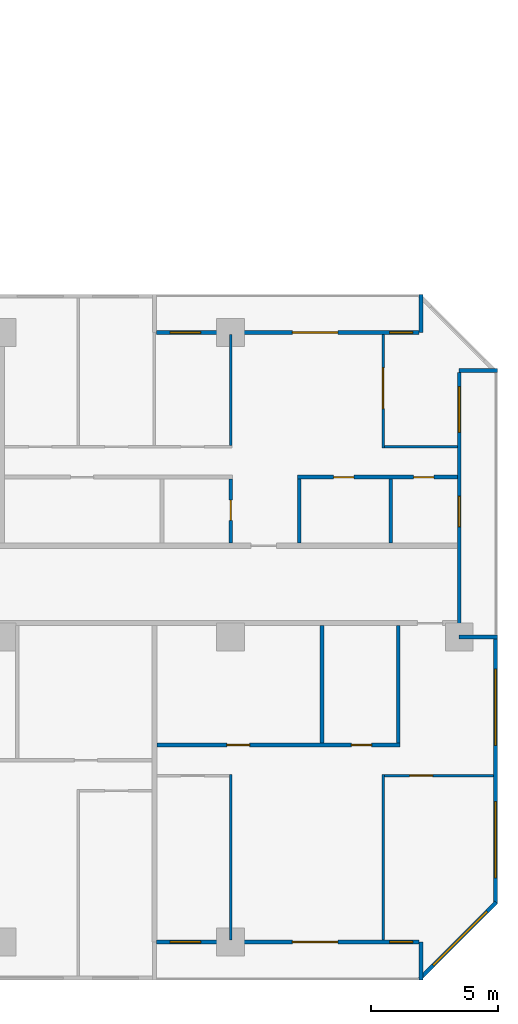
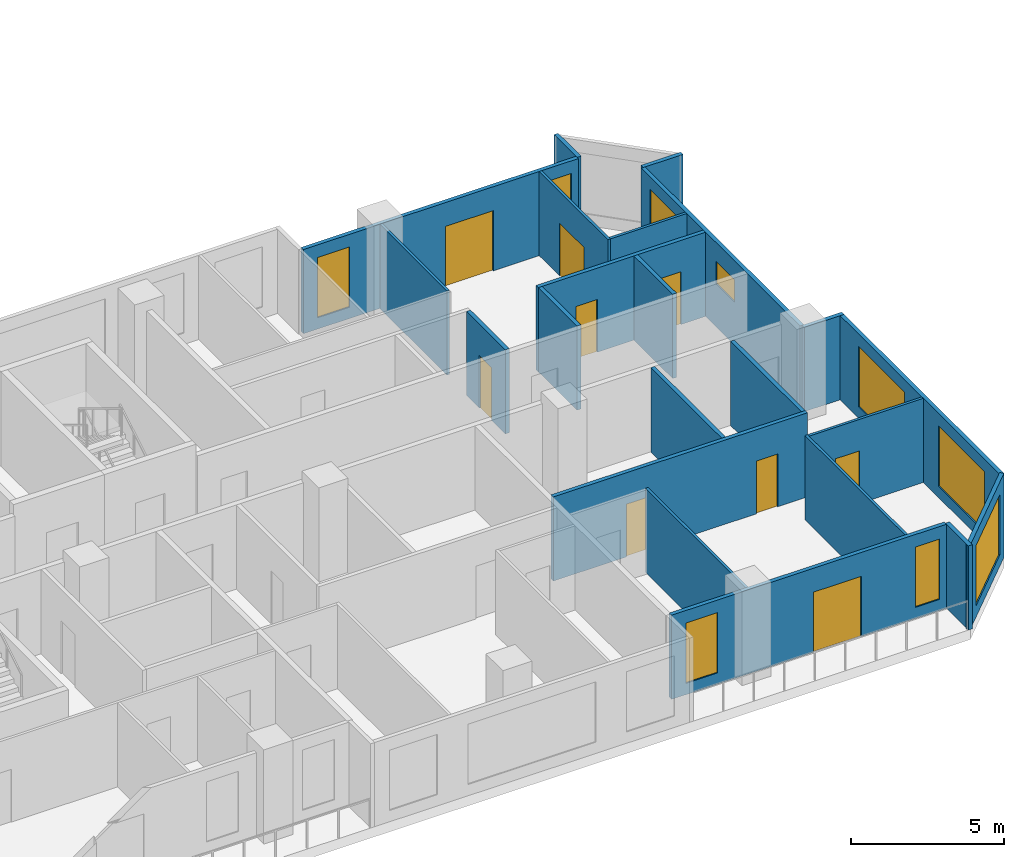
# One storey, part 12 of 15: 22 walls, 9 doors, 9 windows, 18 openings.
"""IFC4 building model written with IfcOpenShell, lengths in metres."""

from ifc_helpers import new_model, si_unit, direction, frame, frame_2d, origin, place, context, subcontext, project, spatial, rectangle, extrude, material, layer, layer_set, type_object, element, fill, save


model = new_model("IFC4")

# Units and contexts
model_context = context("Model", 3, precision=1e-05, world=origin(), true_north=direction((0.0, 1.0)))
body_context = subcontext(model_context, "Body", "Model", "MODEL_VIEW")
ifc_project = project(units=[si_unit("LENGTHUNIT", "METRE"), si_unit("AREAUNIT", "SQUARE_METRE"), si_unit("VOLUMEUNIT", "CUBIC_METRE"), si_unit("PLANEANGLEUNIT", "RADIAN"), si_unit("MASSUNIT", "GRAM", prefix="KILO")], contexts=[model_context])

# Site, building, storey
site_placement = place(None, origin())
site = spatial("IfcSite", under=ifc_project, at=site_placement, CompositionType="ELEMENT")
building_placement = place(site_placement, origin())
building = spatial("IfcBuilding", under=site, at=building_placement, Name="Chenar Terraces", CompositionType="ELEMENT")
storey_placement = place(building_placement, frame((0.0, 0.0, 60.14990234375)))
storey = spatial("IfcBuildingStorey", under=building, at=storey_placement, Name="L12", CompositionType="ELEMENT", Elevation=60.14990234375)

# Wall, openings, windows
ifc_material_1 = material(Name="Aluminium framed glazing", Category="aluminium")
ifc_layer_1 = layer(ifc_material_1, 0.14990234375)
ifc_layer_set_1 = layer_set([ifc_layer_1], Name="Aluminium framed glazing")
wall_type_1 = type_object("IfcWallType", Name="Glazed flush facade wall 150", PredefinedType="SOLIDWALL", material=ifc_layer_set_1)
wall_1_placement = place(storey_placement, frame((73.425048828125, 1.5, 0.0), z_axis=(0.0, 0.0, 1.0), x_axis=(0.0, 1.0, 0.0)))
wall_1 = element("IfcWall", 1, at=wall_1_placement, inside=storey, type_object=wall_type_1, Name="Glazed flush facade wall", PredefinedType="SOLIDWALL", context=body_context, shape_type="SweptSolid", body=[
    extrude(rectangle(XDim=10.425048828125, YDim=0.14990234375, at=frame_2d((5.21240234375, 0.0))), origin(), (0.0, 0.0, 1.0), 3.35009765625),
])
opening_1_placement = place(wall_1_placement, frame((1.02490234375, 0.0, 0.449951171875)))
opening_1 = element("IfcOpeningElement", 2, at=opening_1_placement, cuts=wall_1, Name="Opening W300x240", PredefinedType="OPENING", context=body_context, shape_type="SweptSolid", body=[
    extrude(rectangle(XDim=3.0, YDim=2.39990234375, at=frame_2d((1.5, 1.199951171875))), frame((0.0, 0.0849609375, 0.0), z_axis=(0.0, -1.0, 0.0), x_axis=(1.0, 0.0, 0.0)), (0.0, 0.0, 1.0), 0.169921875),
])
opening_2_placement = place(wall_1_placement, frame((6.237548828125, 0.0, 0.449951171875)))
opening_2 = element("IfcOpeningElement", 3, at=opening_2_placement, cuts=wall_1, Name="Opening W300x240", PredefinedType="OPENING", context=body_context, shape_type="SweptSolid", body=[
    extrude(rectangle(XDim=3.0, YDim=2.39990234375, at=frame_2d((1.5, 1.199951171875))), frame((0.0, 0.0849609375, 0.0), z_axis=(0.0, -1.0, 0.0), x_axis=(1.0, 0.0, 0.0)), (0.0, 0.0, 1.0), 0.169921875),
])
ifc_material_2 = material(Name="Low emissivity double glazing, aluminium frame", Category="aluminium")
window_type_1 = type_object("IfcWindowType", Name="Fixed light 3000 x 2400", PartitioningType="SINGLE_PANEL", PredefinedType="WINDOW", material=ifc_material_2)
window_1_placement = place(opening_1_placement, origin())
window_1 = element("IfcWindow", 4, at=window_1_placement, inside=storey, type_object=window_type_1, Name="Window", OverallHeight=2.39990234375, OverallWidth=3.0, PartitioningType="SINGLE_PANEL", PredefinedType="WINDOW", context=body_context, shape_type="SweptSolid", body=[
    extrude(rectangle(XDim=3.0, YDim=2.39990234375, at=frame_2d((1.5, 1.199951171875))), frame((0.0, 0.030029296875, 0.0), z_axis=(0.0, -1.0, 0.0), x_axis=(1.0, 0.0, 0.0)), (0.0, 0.0, 1.0), 0.06005859375),
])
fill(opening_1, window_1)
window_2_placement = place(opening_2_placement, origin())
window_2 = element("IfcWindow", 5, at=window_2_placement, inside=storey, type_object=window_type_1, Name="Window", OverallHeight=2.39990234375, OverallWidth=3.0, PartitioningType="SINGLE_PANEL", PredefinedType="WINDOW", context=body_context, shape_type="SweptSolid", body=[
    extrude(rectangle(XDim=3.0, YDim=2.39990234375, at=frame_2d((1.5, 1.199951171875))), frame((0.0, 0.030029296875, 0.0), z_axis=(0.0, -1.0, 0.0), x_axis=(1.0, 0.0, 0.0)), (0.0, 0.0, 1.0), 0.06005859375),
])
fill(opening_2, window_2)

# Wall, openings, windows, door
ifc_material_3 = material(Name="Aluminium framed glazing", Category="aluminium")
ifc_layer_2 = layer(ifc_material_3, 0.14990234375)
ifc_layer_set_2 = layer_set([ifc_layer_2], Name="Aluminium framed glazing")
wall_type_2 = type_object("IfcWallType", Name="Glazed loggia back wall 150", PredefinedType="SOLIDWALL", material=ifc_layer_set_2)
wall_2_placement = place(storey_placement, frame((70.425048828125, 24.0, 0.0), z_axis=(0.0, 0.0, 1.0), x_axis=(-1.0, 0.0, 0.0)))
wall_2 = element("IfcWall", 6, at=wall_2_placement, inside=storey, type_object=wall_type_2, Name="Glazed loggia back wall", PredefinedType="SOLIDWALL", context=body_context, shape_type="SweptSolid", body=[
    extrude(rectangle(XDim=10.35009765625, YDim=0.14990234375, at=frame_2d((5.175048828125, 0.0))), origin(), (0.0, 0.0, 1.0), 3.35009765625),
])
opening_3_placement = place(wall_2_placement, frame((0.262451171875, 0.0, 0.449951171875)))
opening_3 = element("IfcOpeningElement", 7, at=opening_3_placement, cuts=wall_2, Name="Opening W90x240", PredefinedType="OPENING", context=body_context, shape_type="SweptSolid", body=[
    extrude(rectangle(XDim=0.89990234375, YDim=2.39990234375, at=frame_2d((0.449951171875, 1.199951171875))), frame((0.0, 0.0849609375, 0.0), z_axis=(0.0, -1.0, 0.0), x_axis=(1.0, 0.0, 0.0)), (0.0, 0.0, 1.0), 0.169921875),
])
opening_4_placement = place(wall_2_placement, frame((3.199951171875, 0.0, 0.0)))
opening_4 = element("IfcOpeningElement", 8, at=opening_4_placement, cuts=wall_2, Name="Opening DL12-G1", PredefinedType="OPENING", context=body_context, shape_type="SweptSolid", body=[
    extrude(rectangle(XDim=1.800048828125, YDim=2.39990234375, at=frame_2d((0.89990234375, 1.199951171875))), frame((0.0, 0.0849609375, 0.0), z_axis=(0.0, -1.0, 0.0), x_axis=(1.0, 0.0, 0.0)), (0.0, 0.0, 1.0), 0.169921875),
])
opening_5_placement = place(wall_2_placement, frame((8.612548828125, 0.0, 0.449951171875)))
opening_5 = element("IfcOpeningElement", 9, at=opening_5_placement, cuts=wall_2, Name="Opening W120x240", PredefinedType="OPENING", context=body_context, shape_type="SweptSolid", body=[
    extrude(rectangle(XDim=1.199951171875, YDim=2.39990234375, at=frame_2d((0.60009765625, 1.199951171875))), frame((0.0, 0.0849609375, 0.0), z_axis=(0.0, -1.0, 0.0), x_axis=(1.0, 0.0, 0.0)), (0.0, 0.0, 1.0), 0.169921875),
])
ifc_material_4 = material(Name="Low emissivity double glazing, aluminium frame", Category="aluminium")
window_type_2 = type_object("IfcWindowType", Name="Fixed light 1200 x 2400", PartitioningType="SINGLE_PANEL", PredefinedType="WINDOW", material=ifc_material_4)
window_3_placement = place(opening_5_placement, origin())
window_3 = element("IfcWindow", 10, at=window_3_placement, inside=storey, type_object=window_type_2, Name="Window", OverallHeight=2.39990234375, OverallWidth=1.199951171875, PartitioningType="SINGLE_PANEL", PredefinedType="WINDOW", context=body_context, shape_type="SweptSolid", body=[
    extrude(rectangle(XDim=1.199951171875, YDim=2.39990234375, at=frame_2d((0.60009765625, 1.199951171875))), frame((0.0, 0.030029296875, 0.0), z_axis=(0.0, -1.0, 0.0), x_axis=(1.0, 0.0, 0.0)), (0.0, 0.0, 1.0), 0.06005859375),
])
fill(opening_5, window_3)
ifc_material_5 = material(Name="Low emissivity double glazing, aluminium frame", Category="aluminium")
window_type_3 = type_object("IfcWindowType", Name="Fixed light 900 x 2400", PartitioningType="SINGLE_PANEL", PredefinedType="WINDOW", material=ifc_material_5)
window_4_placement = place(opening_3_placement, origin())
window_4 = element("IfcWindow", 11, at=window_4_placement, inside=storey, type_object=window_type_3, Name="Window", OverallHeight=2.39990234375, OverallWidth=0.89990234375, PartitioningType="SINGLE_PANEL", PredefinedType="WINDOW", context=body_context, shape_type="SweptSolid", body=[
    extrude(rectangle(XDim=0.89990234375, YDim=2.39990234375, at=frame_2d((0.449951171875, 1.199951171875))), frame((0.0, 0.030029296875, 0.0), z_axis=(0.0, -1.0, 0.0), x_axis=(1.0, 0.0, 0.0)), (0.0, 0.0, 1.0), 0.06005859375),
])
fill(opening_3, window_4)
ifc_material_6 = material(Name="Low emissivity double glazing, aluminium frame", Category="aluminium")
door_type_1 = type_object("IfcDoorType", Name="Loggia glazed double door 1800 x 2400", OperationType="DOUBLE_DOOR_SINGLE_SWING", PredefinedType="DOOR", material=ifc_material_6)
door_1_placement = place(opening_4_placement, frame((1.800048828125, 0.0, 0.0), z_axis=(0.0, 0.0, 1.0), x_axis=(-1.0, 0.0, 0.0)))
door_1 = element("IfcDoor", 12, at=door_1_placement, inside=storey, type_object=door_type_1, Name="Loggia glazed door", OperationType="DOUBLE_DOOR_SINGLE_SWING", OverallHeight=2.39990234375, OverallWidth=1.800048828125, PredefinedType="DOOR", context=body_context, shape_type="SweptSolid", body=[
    extrude(rectangle(XDim=1.800048828125, YDim=2.39990234375, at=frame_2d((0.89990234375, 1.199951171875))), frame((0.0, 0.02490234375, 0.0), z_axis=(0.0, -1.0, 0.0), x_axis=(1.0, 0.0, 0.0)), (0.0, 0.0, 1.0), 0.050048828125),
])
fill(opening_4, door_1)

wall_3_placement = place(storey_placement, frame((60.074951171875, 0.0, 0.0), z_axis=(0.0, 0.0, 1.0), x_axis=(1.0, 0.0, 0.0)))
wall_3 = element("IfcWall", 13, at=wall_3_placement, inside=storey, type_object=wall_type_2, Name="Glazed loggia back wall", PredefinedType="SOLIDWALL", context=body_context, shape_type="SweptSolid", body=[
    extrude(rectangle(XDim=10.35009765625, YDim=0.14990234375, at=frame_2d((5.175048828125, 0.0))), origin(), (0.0, 0.0, 1.0), 3.35009765625),
])
opening_6_placement = place(wall_3_placement, frame((0.53759765625, 0.0, 0.449951171875)))
opening_6 = element("IfcOpeningElement", 14, at=opening_6_placement, cuts=wall_3, Name="Opening W120x240", PredefinedType="OPENING", context=body_context, shape_type="SweptSolid", body=[
    extrude(rectangle(XDim=1.199951171875, YDim=2.39990234375, at=frame_2d((0.60009765625, 1.199951171875))), frame((0.0, 0.0849609375, 0.0), z_axis=(0.0, -1.0, 0.0), x_axis=(1.0, 0.0, 0.0)), (0.0, 0.0, 1.0), 0.169921875),
])
opening_7_placement = place(wall_3_placement, frame((5.35009765625, 0.0, 0.0)))
opening_7 = element("IfcOpeningElement", 15, at=opening_7_placement, cuts=wall_3, Name="Opening DL12-G7", PredefinedType="OPENING", context=body_context, shape_type="SweptSolid", body=[
    extrude(rectangle(XDim=1.800048828125, YDim=2.39990234375, at=frame_2d((0.89990234375, 1.199951171875))), frame((0.0, 0.0849609375, 0.0), z_axis=(0.0, -1.0, 0.0), x_axis=(1.0, 0.0, 0.0)), (0.0, 0.0, 1.0), 0.169921875),
])
opening_8_placement = place(wall_3_placement, frame((9.1875, 0.0, 0.449951171875)))
opening_8 = element("IfcOpeningElement", 16, at=opening_8_placement, cuts=wall_3, Name="Opening W90x240", PredefinedType="OPENING", context=body_context, shape_type="SweptSolid", body=[
    extrude(rectangle(XDim=0.89990234375, YDim=2.39990234375, at=frame_2d((0.449951171875, 1.199951171875))), frame((0.0, 0.0849609375, 0.0), z_axis=(0.0, -1.0, 0.0), x_axis=(1.0, 0.0, 0.0)), (0.0, 0.0, 1.0), 0.169921875),
])
window_5_placement = place(opening_6_placement, origin())
window_5 = element("IfcWindow", 17, at=window_5_placement, inside=storey, type_object=window_type_2, Name="Window", OverallHeight=2.39990234375, OverallWidth=1.199951171875, PartitioningType="SINGLE_PANEL", PredefinedType="WINDOW", context=body_context, shape_type="SweptSolid", body=[
    extrude(rectangle(XDim=1.199951171875, YDim=2.39990234375, at=frame_2d((0.60009765625, 1.199951171875))), frame((0.0, 0.030029296875, 0.0), z_axis=(0.0, -1.0, 0.0), x_axis=(1.0, 0.0, 0.0)), (0.0, 0.0, 1.0), 0.06005859375),
])
fill(opening_6, window_5)
window_6_placement = place(opening_8_placement, origin())
window_6 = element("IfcWindow", 18, at=window_6_placement, inside=storey, type_object=window_type_3, Name="Window", OverallHeight=2.39990234375, OverallWidth=0.89990234375, PartitioningType="SINGLE_PANEL", PredefinedType="WINDOW", context=body_context, shape_type="SweptSolid", body=[
    extrude(rectangle(XDim=0.89990234375, YDim=2.39990234375, at=frame_2d((0.449951171875, 1.199951171875))), frame((0.0, 0.030029296875, 0.0), z_axis=(0.0, -1.0, 0.0), x_axis=(1.0, 0.0, 0.0)), (0.0, 0.0, 1.0), 0.06005859375),
])
fill(opening_8, window_6)
door_2_placement = place(opening_7_placement, frame((1.800048828125, 0.0, 0.0), z_axis=(0.0, 0.0, 1.0), x_axis=(-1.0, 0.0, 0.0)))
door_2 = element("IfcDoor", 19, at=door_2_placement, inside=storey, type_object=door_type_1, Name="Loggia glazed door", OperationType="DOUBLE_DOOR_SINGLE_SWING", OverallHeight=2.39990234375, OverallWidth=1.800048828125, PredefinedType="DOOR", context=body_context, shape_type="SweptSolid", body=[
    extrude(rectangle(XDim=1.800048828125, YDim=2.39990234375, at=frame_2d((0.89990234375, 1.199951171875))), frame((0.0, 0.02490234375, 0.0), z_axis=(0.0, -1.0, 0.0), x_axis=(1.0, 0.0, 0.0)), (0.0, 0.0, 1.0), 0.050048828125),
])
fill(opening_7, door_2)

# Wall, openings, windows
wall_4_placement = place(storey_placement, frame((72.0, 12.074951171875, 0.0), z_axis=(0.0, 0.0, 1.0), x_axis=(0.0, 1.0, 0.0)))
wall_4 = element("IfcWall", 20, at=wall_4_placement, inside=storey, type_object=wall_type_2, Name="Glazed loggia back wall", PredefinedType="SOLIDWALL", context=body_context, shape_type="SweptSolid", body=[
    extrude(rectangle(XDim=10.35009765625, YDim=0.14990234375, at=frame_2d((5.175048828125, 0.0))), origin(), (0.0, 0.0, 1.0), 3.35009765625),
])
opening_9_placement = place(wall_4_placement, frame((4.27490234375, 0.0, 1.699951171875)))
opening_9 = element("IfcOpeningElement", 21, at=opening_9_placement, cuts=wall_4, Name="Opening W120x90", PredefinedType="OPENING", context=body_context, shape_type="SweptSolid", body=[
    extrude(rectangle(XDim=1.199951171875, YDim=0.89990234375, at=frame_2d((0.60009765625, 0.449951171875))), frame((0.0, 0.0849609375, 0.0), z_axis=(0.0, -1.0, 0.0), x_axis=(1.0, 0.0, 0.0)), (0.0, 0.0, 1.0), 0.169921875),
])
opening_10_placement = place(wall_4_placement, frame((7.987548828125, 0.0, 0.449951171875)))
opening_10 = element("IfcOpeningElement", 22, at=opening_10_placement, cuts=wall_4, Name="Opening W180x240", PredefinedType="OPENING", context=body_context, shape_type="SweptSolid", body=[
    extrude(rectangle(XDim=1.800048828125, YDim=2.39990234375, at=frame_2d((0.89990234375, 1.199951171875))), frame((0.0, 0.0849609375, 0.0), z_axis=(0.0, -1.0, 0.0), x_axis=(1.0, 0.0, 0.0)), (0.0, 0.0, 1.0), 0.169921875),
])
ifc_material_7 = material(Name="Low emissivity double glazing, aluminium frame", Category="aluminium")
window_type_4 = type_object("IfcWindowType", Name="Fixed light 1200 x 900", PartitioningType="SINGLE_PANEL", PredefinedType="WINDOW", material=ifc_material_7)
window_7_placement = place(opening_9_placement, origin())
window_7 = element("IfcWindow", 23, at=window_7_placement, inside=storey, type_object=window_type_4, Name="Window", OverallHeight=0.89990234375, OverallWidth=1.199951171875, PartitioningType="SINGLE_PANEL", PredefinedType="WINDOW", context=body_context, shape_type="SweptSolid", body=[
    extrude(rectangle(XDim=1.199951171875, YDim=0.89990234375, at=frame_2d((0.60009765625, 0.449951171875))), frame((0.0, 0.030029296875, 0.0), z_axis=(0.0, -1.0, 0.0), x_axis=(1.0, 0.0, 0.0)), (0.0, 0.0, 1.0), 0.06005859375),
])
fill(opening_9, window_7)
ifc_material_8 = material(Name="Low emissivity double glazing, aluminium frame", Category="aluminium")
window_type_5 = type_object("IfcWindowType", Name="Fixed light 1800 x 2400", PartitioningType="SINGLE_PANEL", PredefinedType="WINDOW", material=ifc_material_8)
window_8_placement = place(opening_10_placement, origin())
window_8 = element("IfcWindow", 24, at=window_8_placement, inside=storey, type_object=window_type_5, Name="Window", OverallHeight=2.39990234375, OverallWidth=1.800048828125, PartitioningType="SINGLE_PANEL", PredefinedType="WINDOW", context=body_context, shape_type="SweptSolid", body=[
    extrude(rectangle(XDim=1.800048828125, YDim=2.39990234375, at=frame_2d((0.89990234375, 1.199951171875))), frame((0.0, 0.030029296875, 0.0), z_axis=(0.0, -1.0, 0.0), x_axis=(1.0, 0.0, 0.0)), (0.0, 0.0, 1.0), 0.06005859375),
])
fill(opening_10, window_8)

# Walls
ifc_material_9 = material(Name="Gypsum board on steel studs", Category="steel")
ifc_layer_3 = layer(ifc_material_9, 0.10009765625)
ifc_layer_set_3 = layer_set([ifc_layer_3], Name="Gypsum board on steel studs")
wall_type_3 = type_object("IfcWallType", Name="Gypsum partition 100", PredefinedType="PARTITIONING", material=ifc_layer_set_3)
wall_5_placement = place(storey_placement, frame((63.0, 0.073974609375, 0.0), z_axis=(0.0, 0.0, 1.0), x_axis=(0.0, 1.0, 0.0)))
element("IfcWall", 25, at=wall_5_placement, inside=storey, type_object=wall_type_3, Name="Partition L12-090", PredefinedType="PARTITIONING", context=body_context, shape_type="SweptSolid", body=[
    extrude(rectangle(XDim=6.526123046875, YDim=0.10009765625, at=frame_2d((3.26318359375, 0.0))), origin(), (0.0, 0.0, 1.0), 3.35009765625),
])
wall_6_placement = place(storey_placement, frame((63.0, 19.550048828125, 0.0), z_axis=(0.0, 0.0, 1.0), x_axis=(0.0, 1.0, 0.0)))
element("IfcWall", 26, at=wall_6_placement, inside=storey, type_object=wall_type_3, Name="Partition L12-092", PredefinedType="PARTITIONING", context=body_context, shape_type="SweptSolid", body=[
    extrude(rectangle(XDim=4.3759765625, YDim=0.10009765625, at=frame_2d((2.18798828125, 0.0))), origin(), (0.0, 0.0, 1.0), 3.35009765625),
])
wall_7_placement = place(storey_placement, frame((69.0, 0.073974609375, 0.0), z_axis=(0.0, 0.0, 1.0), x_axis=(0.0, 1.0, 0.0)))
element("IfcWall", 27, at=wall_7_placement, inside=storey, type_object=wall_type_3, Name="Partition L12-096", PredefinedType="PARTITIONING", context=body_context, shape_type="SweptSolid", body=[
    extrude(rectangle(XDim=6.526123046875, YDim=0.10009765625, at=frame_2d((3.26318359375, 0.0))), origin(), (0.0, 0.0, 1.0), 3.35009765625),
])

# Wall, opening, door
wall_8_placement = place(storey_placement, frame((69.0, 19.449951171875, 0.0), z_axis=(0.0, 0.0, 1.0), x_axis=(0.0, 1.0, 0.0)))
wall_8 = element("IfcWall", 28, at=wall_8_placement, inside=storey, type_object=wall_type_3, Name="Partition L12-097", PredefinedType="PARTITIONING", context=body_context, shape_type="SweptSolid", body=[
    extrude(rectangle(XDim=4.47607421875, YDim=0.10009765625, at=frame_2d((2.238037109375, 0.0))), origin(), (0.0, 0.0, 1.0), 3.35009765625),
])
opening_11_placement = place(wall_8_placement, frame((1.550048828125, 0.0, 0.0)))
opening_11 = element("IfcOpeningElement", 29, at=opening_11_placement, cuts=wall_8, Name="Opening DL12-11", PredefinedType="OPENING", context=body_context, shape_type="SweptSolid", body=[
    extrude(rectangle(XDim=1.60009765625, YDim=2.10009765625, at=frame_2d((0.800048828125, 1.050048828125))), frame((0.0, 0.06005859375, 0.0), z_axis=(0.0, -1.0, 0.0), x_axis=(1.0, 0.0, 0.0)), (0.0, 0.0, 1.0), 0.1201171875),
])
ifc_material_10 = material(Name="Veneered timber door leaf", Category="wood")
door_type_2 = type_object("IfcDoorType", Name="Double door 1600 x 2100", OperationType="DOUBLE_DOOR_SINGLE_SWING", PredefinedType="DOOR", material=ifc_material_10)
door_3_placement = place(opening_11_placement, frame((1.60009765625, 0.0, 0.0), z_axis=(0.0, 0.0, 1.0), x_axis=(-1.0, 0.0, 0.0)))
door_3 = element("IfcDoor", 30, at=door_3_placement, inside=storey, type_object=door_type_2, Name="Door DL12-11", OperationType="DOUBLE_DOOR_SINGLE_SWING", OverallHeight=2.10009765625, OverallWidth=1.60009765625, PredefinedType="DOOR", context=body_context, shape_type="SweptSolid", body=[
    extrude(rectangle(XDim=1.60009765625, YDim=2.10009765625, at=frame_2d((0.800048828125, 1.050048828125))), frame((0.0, 0.02490234375, 0.0), z_axis=(0.0, -1.0, 0.0), x_axis=(1.0, 0.0, 0.0)), (0.0, 0.0, 1.0), 0.050048828125),
])
fill(opening_11, door_3)

wall_9_placement = place(storey_placement, frame((69.050048828125, 6.550048828125, 0.0), z_axis=(0.0, 0.0, 1.0), x_axis=(1.0, 0.0, 0.0)))
wall_9 = element("IfcWall", 31, at=wall_9_placement, inside=storey, type_object=wall_type_3, Name="Partition L12-098", PredefinedType="PARTITIONING", context=body_context, shape_type="SweptSolid", body=[
    extrude(rectangle(XDim=4.300048828125, YDim=0.10009765625, at=frame_2d((2.14990234375, 0.0))), origin(), (0.0, 0.0, 1.0), 3.35009765625),
])
opening_12_placement = place(wall_9_placement, frame((1.0, 0.0, 0.0)))
opening_12 = element("IfcOpeningElement", 32, at=opening_12_placement, cuts=wall_9, Name="Opening DL12-20", PredefinedType="OPENING", context=body_context, shape_type="SweptSolid", body=[
    extrude(rectangle(XDim=0.89990234375, YDim=2.10009765625, at=frame_2d((0.449951171875, 1.050048828125))), frame((0.0, 0.06005859375, 0.0), z_axis=(0.0, -1.0, 0.0), x_axis=(1.0, 0.0, 0.0)), (0.0, 0.0, 1.0), 0.1201171875),
])
ifc_material_11 = material(Name="Veneered timber door leaf", Category="wood")
door_type_3 = type_object("IfcDoorType", Name="Door 900 x 2100", OperationType="SINGLE_SWING_LEFT", PredefinedType="DOOR", material=ifc_material_11)
door_4_placement = place(opening_12_placement, frame((0.89990234375, 0.0, 0.0), z_axis=(0.0, 0.0, 1.0), x_axis=(-1.0, 0.0, 0.0)))
door_4 = element("IfcDoor", 33, at=door_4_placement, inside=storey, type_object=door_type_3, Name="Door DL12-20", OperationType="SINGLE_SWING_RIGHT", OverallHeight=2.10009765625, OverallWidth=0.89990234375, PredefinedType="DOOR", context=body_context, shape_type="SweptSolid", body=[
    extrude(rectangle(XDim=0.89990234375, YDim=2.10009765625, at=frame_2d((0.449951171875, 1.050048828125))), frame((0.0, 0.02490234375, 0.0), z_axis=(0.0, -1.0, 0.0), x_axis=(1.0, 0.0, 0.0)), (0.0, 0.0, 1.0), 0.050048828125),
])
fill(opening_12, door_4)

# Walls
wall_10_placement = place(storey_placement, frame((69.050048828125, 19.5, 0.0), z_axis=(0.0, 0.0, 1.0), x_axis=(1.0, 0.0, 0.0)))
element("IfcWall", 34, at=wall_10_placement, inside=storey, type_object=wall_type_3, Name="Partition L12-099", PredefinedType="PARTITIONING", context=body_context, shape_type="SweptSolid", body=[
    extrude(rectangle(XDim=2.8759765625, YDim=0.10009765625, at=frame_2d((1.43798828125, 0.0))), origin(), (0.0, 0.0, 1.0), 3.35009765625),
])
ifc_material_12 = material(Name="Terracotta cladding on insulated backing", Category="masonry")
ifc_layer_4 = layer(ifc_material_12, 0.14990234375)
ifc_layer_set_4 = layer_set([ifc_layer_4], Name="Terracotta cladding on insulated backing")
wall_type_4 = type_object("IfcWallType", Name="Loggia return wall 150", PredefinedType="SOLIDWALL", material=ifc_layer_set_4)
for number, where, z_axis, x_axis, name in (
    (35, (70.5, 25.5, 0.0), (0.0, 0.0, 1.0), (0.0, -1.0, 0.0), "Loggia return wall"),
    (36, (70.5, -1.5, 0.0), (0.0, 0.0, 1.0), (0.0, 1.0, 0.0), "Loggia return wall"),
    (37, (73.5, 12.0, 0.0), (0.0, 0.0, 1.0), (-1.0, 0.0, 0.0), "Loggia return wall"),
    (38, (73.5, 22.5, 0.0), (0.0, 0.0, 1.0), (-1.0, 0.0, 0.0), "Loggia return wall"),
):
    element("IfcWall", number, at=place(storey_placement, frame(where, z_axis=z_axis, x_axis=x_axis)), inside=storey, type_object=wall_type_4, Name=name, PredefinedType="SOLIDWALL", context=body_context, shape_type="SweptSolid", body=[
        extrude(rectangle(XDim=1.5, YDim=0.14990234375, at=frame_2d((0.75, 0.0))), origin(), (0.0, 0.0, 1.0), 3.35009765625),
    ])

# Wall, opening, window
ifc_material_13 = material(Name="Terracotta cladding on insulated backing", Category="masonry")
ifc_layer_5 = layer(ifc_material_13, 0.14990234375)
ifc_layer_set_5 = layer_set([ifc_layer_5], Name="Terracotta cladding on insulated backing")
wall_type_5 = type_object("IfcWallType", Name="Terracotta rainscreen wall 150", PredefinedType="SOLIDWALL", material=ifc_layer_set_5)
wall_11_placement = place(storey_placement, frame((70.447021484375, -1.447021484375, 0.0), z_axis=(0.0, 0.0, 1.0), x_axis=(0.707106781187, 0.707106781187, 0.0)))
wall_11 = element("IfcWall", 39, at=wall_11_placement, inside=storey, type_object=wall_type_5, Name="Terracotta rainscreen wall", PredefinedType="SOLIDWALL", context=body_context, shape_type="SweptSolid", body=[
    extrude(rectangle(XDim=4.24267578125, YDim=0.14990234375, at=frame_2d((2.121337890625, 0.0))), origin(), (0.0, 0.0, 1.0), 3.35009765625),
])
opening_13_placement = place(wall_11_placement, frame((0.744384765625, 0.0, 0.449951171875)))
opening_13 = element("IfcOpeningElement", 40, at=opening_13_placement, cuts=wall_11, Name="Opening W300x240", PredefinedType="OPENING", context=body_context, shape_type="SweptSolid", body=[
    extrude(rectangle(XDim=3.0, YDim=2.39990234375, at=frame_2d((1.5, 1.199951171875))), frame((0.0, 0.0849609375, 0.0), z_axis=(0.0, -1.0, 0.0), x_axis=(1.0, 0.0, 0.0)), (0.0, 0.0, 1.0), 0.169921875),
])
window_9_placement = place(opening_13_placement, origin())
window_9 = element("IfcWindow", 41, at=window_9_placement, inside=storey, type_object=window_type_1, Name="Window", OverallHeight=2.39990234375, OverallWidth=3.0, PartitioningType="SINGLE_PANEL", PredefinedType="WINDOW", context=body_context, shape_type="SweptSolid", body=[
    extrude(rectangle(XDim=3.0, YDim=2.39990234375, at=frame_2d((1.5, 1.199951171875))), frame((0.0, 0.030029296875, 0.0), z_axis=(0.0, -1.0, 0.0), x_axis=(1.0, 0.0, 0.0)), (0.0, 0.0, 1.0), 0.06005859375),
])
fill(opening_13, window_9)

# Wall, openings, doors
ifc_material_14 = material(Name="Moisture-resistant gypsum board on steel studs", Category="steel")
ifc_layer_6 = layer(ifc_material_14, 0.14990234375)
ifc_layer_set_6 = layer_set([ifc_layer_6], Name="Moisture-resistant gypsum board on steel studs")
wall_type_6 = type_object("IfcWallType", Name="Wet-room partition 150", PredefinedType="PARTITIONING", material=ifc_layer_set_6)
wall_12_placement = place(storey_placement, frame((60.10009765625, 7.75, 0.0), z_axis=(0.0, 0.0, 1.0), x_axis=(1.0, 0.0, 0.0)))
wall_12 = element("IfcWall", 42, at=wall_12_placement, inside=storey, type_object=wall_type_6, Name="Partition L12-088", PredefinedType="PARTITIONING", context=body_context, shape_type="SweptSolid", body=[
    extrude(rectangle(XDim=9.574951171875, YDim=0.14990234375, at=frame_2d((4.78759765625, 0.0))), origin(), (0.0, 0.0, 1.0), 3.35009765625),
])
opening_14_placement = place(wall_12_placement, frame((7.64990234375, 0.0, 0.0)))
opening_14 = element("IfcOpeningElement", 43, at=opening_14_placement, cuts=wall_12, Name="Opening DL12-18", PredefinedType="OPENING", context=body_context, shape_type="SweptSolid", body=[
    extrude(rectangle(XDim=0.800048828125, YDim=2.10009765625, at=frame_2d((0.39990234375, 1.050048828125))), frame((0.0, 0.0849609375, 0.0), z_axis=(0.0, -1.0, 0.0), x_axis=(1.0, 0.0, 0.0)), (0.0, 0.0, 1.0), 0.169921875),
])
opening_15_placement = place(wall_12_placement, frame((2.75, 0.0, 0.0)))
opening_15 = element("IfcOpeningElement", 44, at=opening_15_placement, cuts=wall_12, Name="Opening DL12-21", PredefinedType="OPENING", context=body_context, shape_type="SweptSolid", body=[
    extrude(rectangle(XDim=0.89990234375, YDim=2.10009765625, at=frame_2d((0.449951171875, 1.050048828125))), frame((0.0, 0.0849609375, 0.0), z_axis=(0.0, -1.0, 0.0), x_axis=(1.0, 0.0, 0.0)), (0.0, 0.0, 1.0), 0.169921875),
])
ifc_material_15 = material(Name="Veneered timber door leaf", Category="wood")
door_type_4 = type_object("IfcDoorType", Name="Door 800 x 2100", OperationType="SINGLE_SWING_LEFT", PredefinedType="DOOR", material=ifc_material_15)
door_5_placement = place(opening_14_placement, origin())
door_5 = element("IfcDoor", 45, at=door_5_placement, inside=storey, type_object=door_type_4, Name="Door DL12-18", OperationType="SINGLE_SWING_RIGHT", OverallHeight=2.10009765625, OverallWidth=0.800048828125, PredefinedType="DOOR", context=body_context, shape_type="SweptSolid", body=[
    extrude(rectangle(XDim=0.800048828125, YDim=2.10009765625, at=frame_2d((0.39990234375, 1.050048828125))), frame((0.0, 0.02490234375, 0.0), z_axis=(0.0, -1.0, 0.0), x_axis=(1.0, 0.0, 0.0)), (0.0, 0.0, 1.0), 0.050048828125),
])
fill(opening_14, door_5)
door_6_placement = place(opening_15_placement, origin())
door_6 = element("IfcDoor", 46, at=door_6_placement, inside=storey, type_object=door_type_3, Name="Door DL12-21", OperationType="SINGLE_SWING_RIGHT", OverallHeight=2.10009765625, OverallWidth=0.89990234375, PredefinedType="DOOR", context=body_context, shape_type="SweptSolid", body=[
    extrude(rectangle(XDim=0.89990234375, YDim=2.10009765625, at=frame_2d((0.449951171875, 1.050048828125))), frame((0.0, 0.02490234375, 0.0), z_axis=(0.0, -1.0, 0.0), x_axis=(1.0, 0.0, 0.0)), (0.0, 0.0, 1.0), 0.050048828125),
])
fill(opening_15, door_6)

# Wall, opening, door
wall_13_placement = place(storey_placement, frame((63.0, 15.699951171875, 0.0), z_axis=(0.0, 0.0, 1.0), x_axis=(0.0, 1.0, 0.0)))
wall_13 = element("IfcWall", 47, at=wall_13_placement, inside=storey, type_object=wall_type_6, Name="Partition L12-091", PredefinedType="PARTITIONING", context=body_context, shape_type="SweptSolid", body=[
    extrude(rectangle(XDim=2.525146484375, YDim=0.14990234375, at=frame_2d((1.2626953125, 0.0))), origin(), (0.0, 0.0, 1.0), 3.35009765625),
])
opening_16_placement = place(wall_13_placement, frame((0.89990234375, 0.0, 0.0)))
opening_16 = element("IfcOpeningElement", 48, at=opening_16_placement, cuts=wall_13, Name="Opening DL12-12", PredefinedType="OPENING", context=body_context, shape_type="SweptSolid", body=[
    extrude(rectangle(XDim=0.800048828125, YDim=2.10009765625, at=frame_2d((0.39990234375, 1.050048828125))), frame((0.0, 0.0849609375, 0.0), z_axis=(0.0, -1.0, 0.0), x_axis=(1.0, 0.0, 0.0)), (0.0, 0.0, 1.0), 0.169921875),
])
door_7_placement = place(opening_16_placement, origin())
door_7 = element("IfcDoor", 49, at=door_7_placement, inside=storey, type_object=door_type_4, Name="Door DL12-12", OperationType="SINGLE_SWING_RIGHT", OverallHeight=2.10009765625, OverallWidth=0.800048828125, PredefinedType="DOOR", context=body_context, shape_type="SweptSolid", body=[
    extrude(rectangle(XDim=0.800048828125, YDim=2.10009765625, at=frame_2d((0.39990234375, 1.050048828125))), frame((0.0, 0.02490234375, 0.0), z_axis=(0.0, -1.0, 0.0), x_axis=(1.0, 0.0, 0.0)), (0.0, 0.0, 1.0), 0.050048828125),
])
fill(opening_16, door_7)

# Wall, openings, doors
wall_14_placement = place(storey_placement, frame((65.625, 18.300048828125, 0.0), z_axis=(0.0, 0.0, 1.0), x_axis=(1.0, 0.0, 0.0)))
wall_14 = element("IfcWall", 50, at=wall_14_placement, inside=storey, type_object=wall_type_6, Name="Partition L12-093", PredefinedType="PARTITIONING", context=body_context, shape_type="SweptSolid", body=[
    extrude(rectangle(XDim=6.301025390625, YDim=0.14990234375, at=frame_2d((3.150390625, 0.0))), origin(), (0.0, 0.0, 1.0), 3.35009765625),
])
opening_17_placement = place(wall_14_placement, frame((1.425048828125, 0.0, 0.0)))
opening_17 = element("IfcOpeningElement", 51, at=opening_17_placement, cuts=wall_14, Name="Opening DL12-4", PredefinedType="OPENING", context=body_context, shape_type="SweptSolid", body=[
    extrude(rectangle(XDim=0.800048828125, YDim=2.10009765625, at=frame_2d((0.39990234375, 1.050048828125))), frame((0.0, 0.0849609375, 0.0), z_axis=(0.0, -1.0, 0.0), x_axis=(1.0, 0.0, 0.0)), (0.0, 0.0, 1.0), 0.169921875),
])
opening_18_placement = place(wall_14_placement, frame((4.574951171875, 0.0, 0.0)))
opening_18 = element("IfcOpeningElement", 52, at=opening_18_placement, cuts=wall_14, Name="Opening DL12-9", PredefinedType="OPENING", context=body_context, shape_type="SweptSolid", body=[
    extrude(rectangle(XDim=0.800048828125, YDim=2.10009765625, at=frame_2d((0.39990234375, 1.050048828125))), frame((0.0, 0.0849609375, 0.0), z_axis=(0.0, -1.0, 0.0), x_axis=(1.0, 0.0, 0.0)), (0.0, 0.0, 1.0), 0.169921875),
])
door_8_placement = place(opening_17_placement, frame((0.800048828125, 0.0, 0.0), z_axis=(0.0, 0.0, 1.0), x_axis=(-1.0, 0.0, 0.0)))
door_8 = element("IfcDoor", 53, at=door_8_placement, inside=storey, type_object=door_type_4, Name="Door DL12-4", OperationType="SINGLE_SWING_RIGHT", OverallHeight=2.10009765625, OverallWidth=0.800048828125, PredefinedType="DOOR", context=body_context, shape_type="SweptSolid", body=[
    extrude(rectangle(XDim=0.800048828125, YDim=2.10009765625, at=frame_2d((0.39990234375, 1.050048828125))), frame((0.0, 0.02490234375, 0.0), z_axis=(0.0, -1.0, 0.0), x_axis=(1.0, 0.0, 0.0)), (0.0, 0.0, 1.0), 0.050048828125),
])
fill(opening_17, door_8)
door_9_placement = place(opening_18_placement, frame((0.800048828125, 0.0, 0.0), z_axis=(0.0, 0.0, 1.0), x_axis=(-1.0, 0.0, 0.0)))
door_9 = element("IfcDoor", 54, at=door_9_placement, inside=storey, type_object=door_type_4, Name="Door DL12-9", OperationType="SINGLE_SWING_RIGHT", OverallHeight=2.10009765625, OverallWidth=0.800048828125, PredefinedType="DOOR", context=body_context, shape_type="SweptSolid", body=[
    extrude(rectangle(XDim=0.800048828125, YDim=2.10009765625, at=frame_2d((0.39990234375, 1.050048828125))), frame((0.0, 0.02490234375, 0.0), z_axis=(0.0, -1.0, 0.0), x_axis=(1.0, 0.0, 0.0)), (0.0, 0.0, 1.0), 0.050048828125),
])
fill(opening_18, door_9)

# Walls
wall_15_placement = place(storey_placement, frame((65.699951171875, 15.699951171875, 0.0), z_axis=(0.0, 0.0, 1.0), x_axis=(0.0, 1.0, 0.0)))
element("IfcWall", 55, at=wall_15_placement, inside=storey, type_object=wall_type_6, Name="Partition L12-094", PredefinedType="PARTITIONING", context=body_context, shape_type="SweptSolid", body=[
    extrude(rectangle(XDim=2.525146484375, YDim=0.14990234375, at=frame_2d((1.2626953125, 0.0))), origin(), (0.0, 0.0, 1.0), 3.35009765625),
])
wall_16_placement = place(storey_placement, frame((66.60009765625, 7.824951171875, 0.0), z_axis=(0.0, 0.0, 1.0), x_axis=(0.0, 1.0, 0.0)))
element("IfcWall", 56, at=wall_16_placement, inside=storey, type_object=wall_type_6, Name="Partition L12-095", PredefinedType="PARTITIONING", context=body_context, shape_type="SweptSolid", body=[
    extrude(rectangle(XDim=4.625, YDim=0.14990234375, at=frame_2d((2.3125, 0.0))), origin(), (0.0, 0.0, 1.0), 3.35009765625),
])
wall_17_placement = place(storey_placement, frame((69.300048828125, 15.699951171875, 0.0), z_axis=(0.0, 0.0, 1.0), x_axis=(0.0, 1.0, 0.0)))
element("IfcWall", 57, at=wall_17_placement, inside=storey, type_object=wall_type_6, Name="Partition L12-100", PredefinedType="PARTITIONING", context=body_context, shape_type="SweptSolid", body=[
    extrude(rectangle(XDim=2.525146484375, YDim=0.14990234375, at=frame_2d((1.2626953125, 0.0))), origin(), (0.0, 0.0, 1.0), 3.35009765625),
])
wall_18_placement = place(storey_placement, frame((69.60009765625, 7.824951171875, 0.0), z_axis=(0.0, 0.0, 1.0), x_axis=(0.0, 1.0, 0.0)))
element("IfcWall", 58, at=wall_18_placement, inside=storey, type_object=wall_type_6, Name="Partition L12-101", PredefinedType="PARTITIONING", context=body_context, shape_type="SweptSolid", body=[
    extrude(rectangle(XDim=4.625, YDim=0.14990234375, at=frame_2d((2.3125, 0.0))), origin(), (0.0, 0.0, 1.0), 3.35009765625),
])

save(model, "model.ifc")
